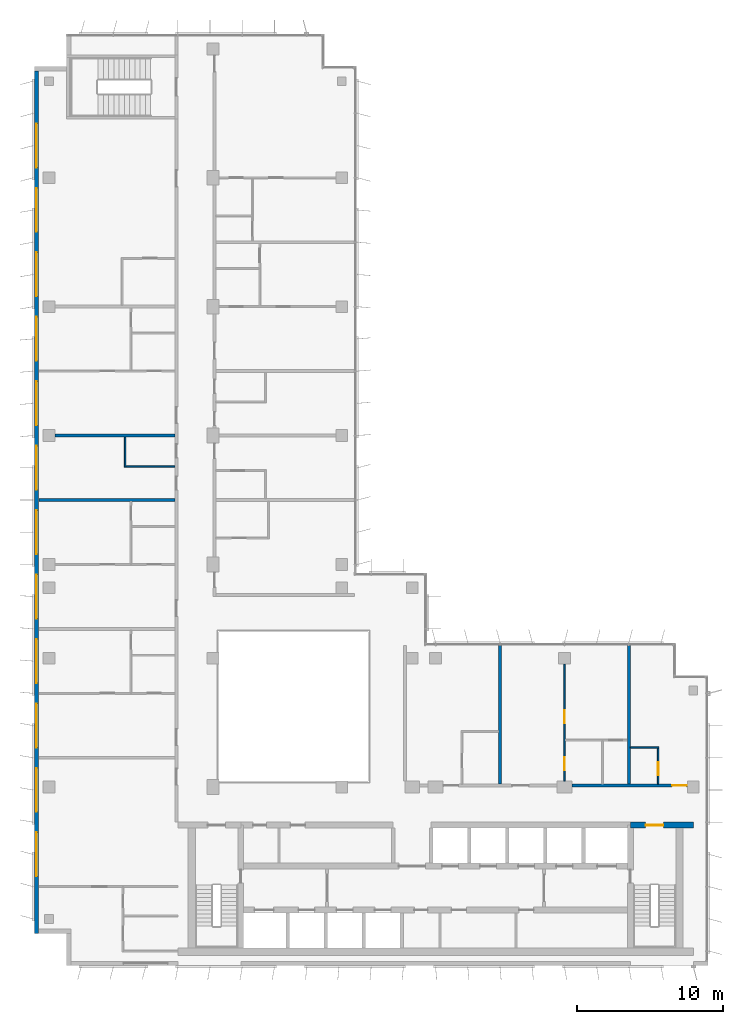
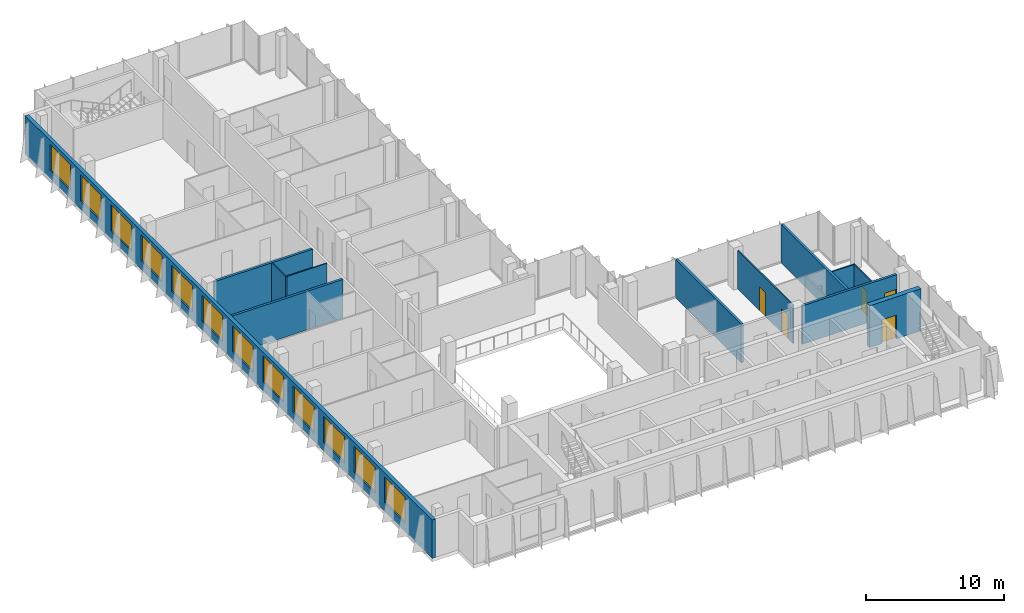
# One storey, part 11 of 16: 12 walls, 12 windows, 5 doors, 17 openings.
"""IFC4 building model written with IfcOpenShell, lengths in metres."""

from ifc_helpers import new_model, si_unit, direction, frame, frame_2d, origin, place, context, subcontext, project, spatial, rectangle, extrude, material, layer, layer_set, type_object, element, fill, save


model = new_model("IFC4")

# Units and contexts
model_context = context("Model", 3, precision=1e-05, world=origin(), true_north=direction((0.0, 1.0)))
body_context = subcontext(model_context, "Body", "Model", "MODEL_VIEW")
ifc_project = project(units=[si_unit("LENGTHUNIT", "METRE"), si_unit("AREAUNIT", "SQUARE_METRE"), si_unit("VOLUMEUNIT", "CUBIC_METRE"), si_unit("PLANEANGLEUNIT", "RADIAN"), si_unit("MASSUNIT", "GRAM", prefix="KILO")], contexts=[model_context])

# Site, building, storey
site_placement = place(None, origin())
site = spatial("IfcSite", under=ifc_project, at=site_placement, CompositionType="ELEMENT")
building_placement = place(site_placement, origin())
building = spatial("IfcBuilding", under=site, at=building_placement, Name="Kemantara Hotel Tower", CompositionType="ELEMENT")
storey_placement = place(building_placement, frame((0.0, 0.0, 283.300048828125)))
storey = spatial("IfcBuildingStorey", under=building, at=storey_placement, Name="L71", CompositionType="ELEMENT", Elevation=283.300048828125)

# Wall, openings, windows
ifc_material_1 = material(Name="Bronze anodised aluminium cladding on insulated steel stud wall", Category="steel")
ifc_layer_1 = layer(ifc_material_1, 0.300048828125)
ifc_layer_set_1 = layer_set([ifc_layer_1], Name="Bronze anodised aluminium cladding on insulated steel stud wall")
wall_type_1 = type_object("IfcWallType", Name="BRONZE METAL-CLAD EXTERNAL WALL 300", PredefinedType="STANDARD", material=ifc_layer_set_1)
wall_1_placement = place(storey_placement, frame((0.14990234375, 61.10009765625, 0.0), z_axis=(0.0, 0.0, 1.0), x_axis=(0.0, -1.0, 0.0)))
wall_1 = element("IfcWall", 1, at=wall_1_placement, inside=storey, type_object=wall_type_1, Name="EXTERNAL WALL L71 T4-R05", PredefinedType="STANDARD", context=body_context, shape_type="SweptSolid", body=[
    extrude(rectangle(XDim=58.900146484375, YDim=0.300048828125, at=frame_2d((29.4501953125, 0.0))), origin(), (0.0, 0.0, 1.0), 3.39990234375),
])
opening_1_placement = place(wall_1_placement, frame((3.60009765625, 0.0, 0.75)))
opening_1 = element("IfcOpeningElement", 2, at=opening_1_placement, cuts=wall_1, Name="Opening W1", PredefinedType="OPENING", context=body_context, shape_type="SweptSolid", body=[
    extrude(rectangle(XDim=3.0, YDim=2.300048828125, at=frame_2d((1.5, 1.14990234375))), frame((0.0, 0.159912109375, 0.0), z_axis=(0.0, -1.0, 0.0), x_axis=(1.0, 0.0, 0.0)), (0.0, 0.0, 1.0), 0.320068359375),
])
opening_2_placement = place(wall_1_placement, frame((8.0, 0.0, 0.75)))
opening_2 = element("IfcOpeningElement", 3, at=opening_2_placement, cuts=wall_1, Name="Opening W1", PredefinedType="OPENING", context=body_context, shape_type="SweptSolid", body=[
    extrude(rectangle(XDim=3.0, YDim=2.300048828125, at=frame_2d((1.5, 1.14990234375))), frame((0.0, 0.159912109375, 0.0), z_axis=(0.0, -1.0, 0.0), x_axis=(1.0, 0.0, 0.0)), (0.0, 0.0, 1.0), 0.320068359375),
])
opening_3_placement = place(wall_1_placement, frame((12.39990234375, 0.0, 0.75)))
opening_3 = element("IfcOpeningElement", 4, at=opening_3_placement, cuts=wall_1, Name="Opening W1", PredefinedType="OPENING", context=body_context, shape_type="SweptSolid", body=[
    extrude(rectangle(XDim=3.0, YDim=2.300048828125, at=frame_2d((1.5, 1.14990234375))), frame((0.0, 0.159912109375, 0.0), z_axis=(0.0, -1.0, 0.0), x_axis=(1.0, 0.0, 0.0)), (0.0, 0.0, 1.0), 0.320068359375),
])
opening_4_placement = place(wall_1_placement, frame((16.800048828125, 0.0, 0.75)))
opening_4 = element("IfcOpeningElement", 5, at=opening_4_placement, cuts=wall_1, Name="Opening W1", PredefinedType="OPENING", context=body_context, shape_type="SweptSolid", body=[
    extrude(rectangle(XDim=3.0, YDim=2.300048828125, at=frame_2d((1.5, 1.14990234375))), frame((0.0, 0.159912109375, 0.0), z_axis=(0.0, -1.0, 0.0), x_axis=(1.0, 0.0, 0.0)), (0.0, 0.0, 1.0), 0.320068359375),
])
opening_5_placement = place(wall_1_placement, frame((21.199951171875, 0.0, 0.75)))
opening_5 = element("IfcOpeningElement", 6, at=opening_5_placement, cuts=wall_1, Name="Opening W1", PredefinedType="OPENING", context=body_context, shape_type="SweptSolid", body=[
    extrude(rectangle(XDim=3.0, YDim=2.300048828125, at=frame_2d((1.5, 1.14990234375))), frame((0.0, 0.159912109375, 0.0), z_axis=(0.0, -1.0, 0.0), x_axis=(1.0, 0.0, 0.0)), (0.0, 0.0, 1.0), 0.320068359375),
])
opening_6_placement = place(wall_1_placement, frame((25.60009765625, 0.0, 0.75)))
opening_6 = element("IfcOpeningElement", 7, at=opening_6_placement, cuts=wall_1, Name="Opening W1", PredefinedType="OPENING", context=body_context, shape_type="SweptSolid", body=[
    extrude(rectangle(XDim=3.0, YDim=2.300048828125, at=frame_2d((1.5, 1.14990234375))), frame((0.0, 0.159912109375, 0.0), z_axis=(0.0, -1.0, 0.0), x_axis=(1.0, 0.0, 0.0)), (0.0, 0.0, 1.0), 0.320068359375),
])
opening_7_placement = place(wall_1_placement, frame((30.0, 0.0, 0.75)))
opening_7 = element("IfcOpeningElement", 8, at=opening_7_placement, cuts=wall_1, Name="Opening W1", PredefinedType="OPENING", context=body_context, shape_type="SweptSolid", body=[
    extrude(rectangle(XDim=3.0, YDim=2.300048828125, at=frame_2d((1.5, 1.14990234375))), frame((0.0, 0.159912109375, 0.0), z_axis=(0.0, -1.0, 0.0), x_axis=(1.0, 0.0, 0.0)), (0.0, 0.0, 1.0), 0.320068359375),
])
opening_8_placement = place(wall_1_placement, frame((34.39990234375, 0.0, 0.75)))
opening_8 = element("IfcOpeningElement", 9, at=opening_8_placement, cuts=wall_1, Name="Opening W1", PredefinedType="OPENING", context=body_context, shape_type="SweptSolid", body=[
    extrude(rectangle(XDim=3.0, YDim=2.300048828125, at=frame_2d((1.5, 1.14990234375))), frame((0.0, 0.159912109375, 0.0), z_axis=(0.0, -1.0, 0.0), x_axis=(1.0, 0.0, 0.0)), (0.0, 0.0, 1.0), 0.320068359375),
])
opening_9_placement = place(wall_1_placement, frame((38.800048828125, 0.0, 0.75)))
opening_9 = element("IfcOpeningElement", 10, at=opening_9_placement, cuts=wall_1, Name="Opening W1", PredefinedType="OPENING", context=body_context, shape_type="SweptSolid", body=[
    extrude(rectangle(XDim=3.0, YDim=2.300048828125, at=frame_2d((1.5, 1.14990234375))), frame((0.0, 0.159912109375, 0.0), z_axis=(0.0, -1.0, 0.0), x_axis=(1.0, 0.0, 0.0)), (0.0, 0.0, 1.0), 0.320068359375),
])
opening_10_placement = place(wall_1_placement, frame((43.199951171875, 0.0, 0.75)))
opening_10 = element("IfcOpeningElement", 11, at=opening_10_placement, cuts=wall_1, Name="Opening W1", PredefinedType="OPENING", context=body_context, shape_type="SweptSolid", body=[
    extrude(rectangle(XDim=3.0, YDim=2.300048828125, at=frame_2d((1.5, 1.14990234375))), frame((0.0, 0.159912109375, 0.0), z_axis=(0.0, -1.0, 0.0), x_axis=(1.0, 0.0, 0.0)), (0.0, 0.0, 1.0), 0.320068359375),
])
opening_11_placement = place(wall_1_placement, frame((47.60009765625, 0.0, 0.75)))
opening_11 = element("IfcOpeningElement", 12, at=opening_11_placement, cuts=wall_1, Name="Opening W1", PredefinedType="OPENING", context=body_context, shape_type="SweptSolid", body=[
    extrude(rectangle(XDim=3.0, YDim=2.300048828125, at=frame_2d((1.5, 1.14990234375))), frame((0.0, 0.159912109375, 0.0), z_axis=(0.0, -1.0, 0.0), x_axis=(1.0, 0.0, 0.0)), (0.0, 0.0, 1.0), 0.320068359375),
])
opening_12_placement = place(wall_1_placement, frame((52.0, 0.0, 0.75)))
opening_12 = element("IfcOpeningElement", 13, at=opening_12_placement, cuts=wall_1, Name="Opening W1", PredefinedType="OPENING", context=body_context, shape_type="SweptSolid", body=[
    extrude(rectangle(XDim=3.0, YDim=2.300048828125, at=frame_2d((1.5, 1.14990234375))), frame((0.0, 0.159912109375, 0.0), z_axis=(0.0, -1.0, 0.0), x_axis=(1.0, 0.0, 0.0)), (0.0, 0.0, 1.0), 0.320068359375),
])
ifc_material_2 = material(Name="Low-E tinted double insulated glass in bronze anodised aluminium frame", Category="aluminium")
window_type = type_object("IfcWindowType", Name="CHICAGO WINDOW, TRIPLE PANEL 3000x2300", PartitioningType="TRIPLE_PANEL_VERTICAL", PredefinedType="WINDOW", material=ifc_material_2)
window_1_placement = place(opening_1_placement, origin())
window_1 = element("IfcWindow", 14, at=window_1_placement, inside=storey, type_object=window_type, Name="CHICAGO WINDOW L71 T4-R05-54", OverallHeight=2.300048828125, OverallWidth=3.0, PartitioningType="SINGLE_PANEL", PredefinedType="WINDOW", context=body_context, shape_type="SweptSolid", body=[
    extrude(rectangle(XDim=3.0, YDim=2.300048828125, at=frame_2d((1.5, 1.14990234375))), frame((0.0, 0.030029296875, 0.0), z_axis=(0.0, -1.0, 0.0), x_axis=(1.0, 0.0, 0.0)), (0.0, 0.0, 1.0), 0.06005859375),
])
fill(opening_1, window_1)
window_2_placement = place(opening_2_placement, origin())
window_2 = element("IfcWindow", 15, at=window_2_placement, inside=storey, type_object=window_type, Name="CHICAGO WINDOW L71 T4-R05-98", OverallHeight=2.300048828125, OverallWidth=3.0, PartitioningType="SINGLE_PANEL", PredefinedType="WINDOW", context=body_context, shape_type="SweptSolid", body=[
    extrude(rectangle(XDim=3.0, YDim=2.300048828125, at=frame_2d((1.5, 1.14990234375))), frame((0.0, 0.030029296875, 0.0), z_axis=(0.0, -1.0, 0.0), x_axis=(1.0, 0.0, 0.0)), (0.0, 0.0, 1.0), 0.06005859375),
])
fill(opening_2, window_2)
window_3_placement = place(opening_3_placement, origin())
window_3 = element("IfcWindow", 16, at=window_3_placement, inside=storey, type_object=window_type, Name="CHICAGO WINDOW L71 T4-R05-142", OverallHeight=2.300048828125, OverallWidth=3.0, PartitioningType="SINGLE_PANEL", PredefinedType="WINDOW", context=body_context, shape_type="SweptSolid", body=[
    extrude(rectangle(XDim=3.0, YDim=2.300048828125, at=frame_2d((1.5, 1.14990234375))), frame((0.0, 0.030029296875, 0.0), z_axis=(0.0, -1.0, 0.0), x_axis=(1.0, 0.0, 0.0)), (0.0, 0.0, 1.0), 0.06005859375),
])
fill(opening_3, window_3)
window_4_placement = place(opening_4_placement, origin())
window_4 = element("IfcWindow", 17, at=window_4_placement, inside=storey, type_object=window_type, Name="CHICAGO WINDOW L71 T4-R05-186", OverallHeight=2.300048828125, OverallWidth=3.0, PartitioningType="SINGLE_PANEL", PredefinedType="WINDOW", context=body_context, shape_type="SweptSolid", body=[
    extrude(rectangle(XDim=3.0, YDim=2.300048828125, at=frame_2d((1.5, 1.14990234375))), frame((0.0, 0.030029296875, 0.0), z_axis=(0.0, -1.0, 0.0), x_axis=(1.0, 0.0, 0.0)), (0.0, 0.0, 1.0), 0.06005859375),
])
fill(opening_4, window_4)
window_5_placement = place(opening_5_placement, origin())
window_5 = element("IfcWindow", 18, at=window_5_placement, inside=storey, type_object=window_type, Name="CHICAGO WINDOW L71 T4-R05-230", OverallHeight=2.300048828125, OverallWidth=3.0, PartitioningType="SINGLE_PANEL", PredefinedType="WINDOW", context=body_context, shape_type="SweptSolid", body=[
    extrude(rectangle(XDim=3.0, YDim=2.300048828125, at=frame_2d((1.5, 1.14990234375))), frame((0.0, 0.030029296875, 0.0), z_axis=(0.0, -1.0, 0.0), x_axis=(1.0, 0.0, 0.0)), (0.0, 0.0, 1.0), 0.06005859375),
])
fill(opening_5, window_5)
window_6_placement = place(opening_6_placement, origin())
window_6 = element("IfcWindow", 19, at=window_6_placement, inside=storey, type_object=window_type, Name="CHICAGO WINDOW L71 T4-R05-274", OverallHeight=2.300048828125, OverallWidth=3.0, PartitioningType="SINGLE_PANEL", PredefinedType="WINDOW", context=body_context, shape_type="SweptSolid", body=[
    extrude(rectangle(XDim=3.0, YDim=2.300048828125, at=frame_2d((1.5, 1.14990234375))), frame((0.0, 0.030029296875, 0.0), z_axis=(0.0, -1.0, 0.0), x_axis=(1.0, 0.0, 0.0)), (0.0, 0.0, 1.0), 0.06005859375),
])
fill(opening_6, window_6)
window_7_placement = place(opening_7_placement, origin())
window_7 = element("IfcWindow", 20, at=window_7_placement, inside=storey, type_object=window_type, Name="CHICAGO WINDOW L71 T4-R05-318", OverallHeight=2.300048828125, OverallWidth=3.0, PartitioningType="SINGLE_PANEL", PredefinedType="WINDOW", context=body_context, shape_type="SweptSolid", body=[
    extrude(rectangle(XDim=3.0, YDim=2.300048828125, at=frame_2d((1.5, 1.14990234375))), frame((0.0, 0.030029296875, 0.0), z_axis=(0.0, -1.0, 0.0), x_axis=(1.0, 0.0, 0.0)), (0.0, 0.0, 1.0), 0.06005859375),
])
fill(opening_7, window_7)
window_8_placement = place(opening_8_placement, origin())
window_8 = element("IfcWindow", 21, at=window_8_placement, inside=storey, type_object=window_type, Name="CHICAGO WINDOW L71 T4-R05-362", OverallHeight=2.300048828125, OverallWidth=3.0, PartitioningType="SINGLE_PANEL", PredefinedType="WINDOW", context=body_context, shape_type="SweptSolid", body=[
    extrude(rectangle(XDim=3.0, YDim=2.300048828125, at=frame_2d((1.5, 1.14990234375))), frame((0.0, 0.030029296875, 0.0), z_axis=(0.0, -1.0, 0.0), x_axis=(1.0, 0.0, 0.0)), (0.0, 0.0, 1.0), 0.06005859375),
])
fill(opening_8, window_8)
window_9_placement = place(opening_9_placement, origin())
window_9 = element("IfcWindow", 22, at=window_9_placement, inside=storey, type_object=window_type, Name="CHICAGO WINDOW L71 T4-R05-406", OverallHeight=2.300048828125, OverallWidth=3.0, PartitioningType="SINGLE_PANEL", PredefinedType="WINDOW", context=body_context, shape_type="SweptSolid", body=[
    extrude(rectangle(XDim=3.0, YDim=2.300048828125, at=frame_2d((1.5, 1.14990234375))), frame((0.0, 0.030029296875, 0.0), z_axis=(0.0, -1.0, 0.0), x_axis=(1.0, 0.0, 0.0)), (0.0, 0.0, 1.0), 0.06005859375),
])
fill(opening_9, window_9)
window_10_placement = place(opening_10_placement, origin())
window_10 = element("IfcWindow", 23, at=window_10_placement, inside=storey, type_object=window_type, Name="CHICAGO WINDOW L71 T4-R05-450", OverallHeight=2.300048828125, OverallWidth=3.0, PartitioningType="SINGLE_PANEL", PredefinedType="WINDOW", context=body_context, shape_type="SweptSolid", body=[
    extrude(rectangle(XDim=3.0, YDim=2.300048828125, at=frame_2d((1.5, 1.14990234375))), frame((0.0, 0.030029296875, 0.0), z_axis=(0.0, -1.0, 0.0), x_axis=(1.0, 0.0, 0.0)), (0.0, 0.0, 1.0), 0.06005859375),
])
fill(opening_10, window_10)
window_11_placement = place(opening_11_placement, origin())
window_11 = element("IfcWindow", 24, at=window_11_placement, inside=storey, type_object=window_type, Name="CHICAGO WINDOW L71 T4-R05-494", OverallHeight=2.300048828125, OverallWidth=3.0, PartitioningType="SINGLE_PANEL", PredefinedType="WINDOW", context=body_context, shape_type="SweptSolid", body=[
    extrude(rectangle(XDim=3.0, YDim=2.300048828125, at=frame_2d((1.5, 1.14990234375))), frame((0.0, 0.030029296875, 0.0), z_axis=(0.0, -1.0, 0.0), x_axis=(1.0, 0.0, 0.0)), (0.0, 0.0, 1.0), 0.06005859375),
])
fill(opening_11, window_11)
window_12_placement = place(opening_12_placement, origin())
window_12 = element("IfcWindow", 25, at=window_12_placement, inside=storey, type_object=window_type, Name="CHICAGO WINDOW L71 T4-R05-538", OverallHeight=2.300048828125, OverallWidth=3.0, PartitioningType="SINGLE_PANEL", PredefinedType="WINDOW", context=body_context, shape_type="SweptSolid", body=[
    extrude(rectangle(XDim=3.0, YDim=2.300048828125, at=frame_2d((1.5, 1.14990234375))), frame((0.0, 0.030029296875, 0.0), z_axis=(0.0, -1.0, 0.0), x_axis=(1.0, 0.0, 0.0)), (0.0, 0.0, 1.0), 0.06005859375),
])
fill(opening_12, window_12)

# Wall, opening, door
ifc_material_3 = material(Name="Concrete fc 50 MPa", Category="concrete")
ifc_layer_2 = layer(ifc_material_3, 0.39990234375)
ifc_layer_set_2 = layer_set([ifc_layer_2], Name="Concrete fc 50 MPa")
wall_type_2 = type_object("IfcWallType", Name="CORE WALL 400 FC50", PredefinedType="SHEAR", material=ifc_layer_set_2)
wall_2_placement = place(storey_placement, frame((40.699951171875, 9.60009765625, 0.0), z_axis=(0.0, 0.0, 1.0), x_axis=(1.0, 0.0, 0.0)))
wall_2 = element("IfcWall", 26, at=wall_2_placement, inside=storey, type_object=wall_type_2, Name="CORE WALL CW-N2", PredefinedType="SHEAR", context=body_context, shape_type="SweptSolid", body=[
    extrude(rectangle(XDim=4.300048828125, YDim=0.39990234375, at=frame_2d((2.14990234375, 0.0))), origin(), (0.0, 0.0, 1.0), 3.699951171875),
])
opening_13_placement = place(wall_2_placement, frame((1.050048828125, 0.0, 0.0)))
opening_13 = element("IfcOpeningElement", 27, at=opening_13_placement, cuts=wall_2, Name="Opening C41-ST2-C", PredefinedType="OPENING", context=body_context, shape_type="SweptSolid", body=[
    extrude(rectangle(XDim=1.199951171875, YDim=2.10009765625, at=frame_2d((0.60009765625, 1.050048828125))), frame((0.0, 0.2099609375, 0.0), z_axis=(0.0, -1.0, 0.0), x_axis=(1.0, 0.0, 0.0)), (0.0, 0.0, 1.0), 0.419921875),
])
ifc_material_4 = material(Name="Steel fire door", Category="steel")
door_type_1 = type_object("IfcDoorType", Name="Fire door FD90 1200 x 2100", OperationType="NOTDEFINED", PredefinedType="DOOR", material=ifc_material_4)
door_1_placement = place(opening_13_placement, frame((1.199951171875, 0.0, 0.0), z_axis=(0.0, 0.0, 1.0), x_axis=(-1.0, 0.0, 0.0)))
door_1 = element("IfcDoor", 28, at=door_1_placement, inside=storey, type_object=door_type_1, Name="Stair ST2 door to corridor", OperationType="SINGLE_SWING_RIGHT", OverallHeight=2.10009765625, OverallWidth=1.199951171875, PredefinedType="DOOR", context=body_context, shape_type="SweptSolid", body=[
    extrude(rectangle(XDim=1.199951171875, YDim=2.10009765625, at=frame_2d((0.60009765625, 1.050048828125))), frame((0.0, 0.02490234375, 0.0), z_axis=(0.0, -1.0, 0.0), x_axis=(1.0, 0.0, 0.0)), (0.0, 0.0, 1.0), 0.050048828125),
])
fill(opening_13, door_1)

ifc_material_5 = material(Name="Gypsum board partition, steel studs and mineral wool, 200 mm", Category="steel")
ifc_layer_3 = layer(ifc_material_5, 0.199951171875)
ifc_layer_set_3 = layer_set([ifc_layer_3], Name="Gypsum board partition, steel studs and mineral wool, 200 mm")
wall_type_3 = type_object("IfcWallType", Name="CORRIDOR WALL 200", PredefinedType="PARTITIONING", material=ifc_layer_set_3)
wall_3_placement = place(storey_placement, frame((36.7001953125, 12.300048828125, 0.0), z_axis=(0.0, 0.0, 1.0), x_axis=(1.0, 0.0, 0.0)))
wall_3 = element("IfcWall", 29, at=wall_3_placement, inside=storey, type_object=wall_type_3, Name="CORRIDOR WALL 200 003", PredefinedType="PARTITIONING", context=body_context, shape_type="SweptSolid", body=[
    extrude(rectangle(XDim=7.899658203125, YDim=0.199951171875, at=frame_2d((3.94970703125, 0.0))), origin(), (0.0, 0.0, 1.0), 3.39990234375),
])
opening_14_placement = place(wall_3_placement, frame((6.849853515625, 0.0, 0.0)))
opening_14 = element("IfcOpeningElement", 30, at=opening_14_placement, cuts=wall_3, Name="Opening F35-007", PredefinedType="OPENING", context=body_context, shape_type="SweptSolid", body=[
    extrude(rectangle(XDim=1.0, YDim=2.10009765625, at=frame_2d((0.5, 1.050048828125))), frame((0.0, 0.10986328125, 0.0), z_axis=(0.0, -1.0, 0.0), x_axis=(1.0, 0.0, 0.0)), (0.0, 0.0, 1.0), 0.219970703125),
])
ifc_material_6 = material(Name="Hardwood veneer door leaf with steel frame", Category="steel")
door_type_2 = type_object("IfcDoorType", Name="GUEST ROOM DOOR 1000 X 2100 FD30S", OperationType="NOTDEFINED", PredefinedType="DOOR", material=ifc_material_6)
door_2_placement = place(opening_14_placement, origin())
door_2 = element("IfcDoor", 31, at=door_2_placement, inside=storey, type_object=door_type_2, Name="GUEST ROOM DOOR F35-007", OperationType="SINGLE_SWING_RIGHT", OverallHeight=2.10009765625, OverallWidth=1.0, PredefinedType="DOOR", context=body_context, shape_type="SweptSolid", body=[
    extrude(rectangle(XDim=1.0, YDim=2.10009765625, at=frame_2d((0.5, 1.050048828125))), frame((0.0, 0.02490234375, 0.0), z_axis=(0.0, -1.0, 0.0), x_axis=(1.0, 0.0, 0.0)), (0.0, 0.0, 1.0), 0.050048828125),
])
fill(opening_14, door_2)

# Walls
ifc_layer_4 = layer(ifc_material_5, 0.199951171875)
ifc_layer_set_4 = layer_set([ifc_layer_4], Name="Gypsum board partition, steel studs and mineral wool, 200 mm")
wall_type_4 = type_object("IfcWallType", Name="GUEST ROOM PARTY WALL 200", PredefinedType="PARTITIONING", material=ifc_layer_set_4)
for number, where, z_axis, x_axis, name in (
    (32, (31.800048828125, 12.39990234375, 0.0), (0.0, 0.0, 1.0), (0.0, 1.0, 0.0), "GUEST ROOM PARTY WALL 200 005"),
    (33, (40.60009765625, 12.39990234375, 0.0), (0.0, 0.0, 1.0), (0.0, 1.0, 0.0), "GUEST ROOM PARTY WALL 200 006"),
):
    element("IfcWall", number, at=place(storey_placement, frame(where, z_axis=z_axis, x_axis=x_axis)), inside=storey, type_object=wall_type_4, Name=name, PredefinedType="PARTITIONING", context=body_context, shape_type="SweptSolid", body=[
        extrude(rectangle(XDim=9.47021484375, YDim=0.199951171875, at=frame_2d((4.735107421875, 0.0))), origin(), (0.0, 0.0, 1.0), 3.39990234375),
    ])
wall_4_placement = place(storey_placement, frame((0.31005859375, 31.800048828125, 0.0), z_axis=(0.0, 0.0, 1.0), x_axis=(1.0, 0.0, 0.0)))
element("IfcWall", 34, at=wall_4_placement, inside=storey, type_object=wall_type_4, Name="GUEST ROOM PARTY WALL 200 011", PredefinedType="PARTITIONING", context=body_context, shape_type="SweptSolid", body=[
    extrude(rectangle(XDim=9.2900390625, YDim=0.199951171875, at=frame_2d((4.64501953125, 0.0))), origin(), (0.0, 0.0, 1.0), 3.39990234375),
])
wall_5_placement = place(storey_placement, frame((1.400146484375, 36.199951171875, 0.0), z_axis=(0.0, 0.0, 1.0), x_axis=(1.0, 0.0, 0.0)))
element("IfcWall", 35, at=wall_5_placement, inside=storey, type_object=wall_type_4, Name="GUEST ROOM PARTY WALL 200 013", PredefinedType="PARTITIONING", context=body_context, shape_type="SweptSolid", body=[
    extrude(rectangle(XDim=8.199951171875, YDim=0.199951171875, at=frame_2d((4.10009765625, 0.0))), origin(), (0.0, 0.0, 1.0), 3.39990234375),
])

# Wall, openings, doors
ifc_material_7 = material(Name="Gypsum board partition on steel studs, 100 mm", Category="steel")
ifc_layer_5 = layer(ifc_material_7, 0.10009765625)
ifc_layer_set_5 = layer_set([ifc_layer_5], Name="Gypsum board partition on steel studs, 100 mm")
wall_type_5 = type_object("IfcWallType", Name="ROOM PARTITION 100", PredefinedType="PARTITIONING", material=ifc_layer_set_5)
wall_6_placement = place(storey_placement, frame((36.199951171875, 12.60009765625, 0.0), z_axis=(0.0, 0.0, 1.0), x_axis=(0.0, 1.0, 0.0)))
wall_6 = element("IfcWall", 36, at=wall_6_placement, inside=storey, type_object=wall_type_5, Name="ROOM PARTITION 100 027", PredefinedType="PARTITIONING", context=body_context, shape_type="SweptSolid", body=[
    extrude(rectangle(XDim=7.999755859375, YDim=0.10009765625, at=frame_2d((4.0, 0.0))), origin(), (0.0, 0.0, 1.0), 3.39990234375),
])
opening_15_placement = place(wall_6_placement, frame((0.75, 0.0, 0.0)))
opening_15 = element("IfcOpeningElement", 37, at=opening_15_placement, cuts=wall_6, Name="Opening F35-004", PredefinedType="OPENING", context=body_context, shape_type="SweptSolid", body=[
    extrude(rectangle(XDim=0.89990234375, YDim=2.10009765625, at=frame_2d((0.449951171875, 1.050048828125))), frame((0.0, 0.06005859375, 0.0), z_axis=(0.0, -1.0, 0.0), x_axis=(1.0, 0.0, 0.0)), (0.0, 0.0, 1.0), 0.1201171875),
])
opening_16_placement = place(wall_6_placement, frame((3.949951171875, 0.0, 0.0)))
opening_16 = element("IfcOpeningElement", 38, at=opening_16_placement, cuts=wall_6, Name="Opening F35-005", PredefinedType="OPENING", context=body_context, shape_type="SweptSolid", body=[
    extrude(rectangle(XDim=0.89990234375, YDim=2.10009765625, at=frame_2d((0.449951171875, 1.050048828125))), frame((0.0, 0.06005859375, 0.0), z_axis=(0.0, -1.0, 0.0), x_axis=(1.0, 0.0, 0.0)), (0.0, 0.0, 1.0), 0.1201171875),
])
door_type_3 = type_object("IfcDoorType", Name="INTERNAL DOOR 900 X 2100", OperationType="NOTDEFINED", PredefinedType="DOOR", material=ifc_material_6)
door_3_placement = place(opening_16_placement, frame((0.89990234375, 0.0, 0.0), z_axis=(0.0, 0.0, 1.0), x_axis=(-1.0, 0.0, 0.0)))
door_3 = element("IfcDoor", 39, at=door_3_placement, inside=storey, type_object=door_type_3, Name="INTERNAL DOOR F35-005", OperationType="SINGLE_SWING_LEFT", OverallHeight=2.10009765625, OverallWidth=0.89990234375, PredefinedType="DOOR", context=body_context, shape_type="SweptSolid", body=[
    extrude(rectangle(XDim=0.89990234375, YDim=2.10009765625, at=frame_2d((0.449951171875, 1.050048828125))), frame((0.0, 0.02490234375, 0.0), z_axis=(0.0, -1.0, 0.0), x_axis=(1.0, 0.0, 0.0)), (0.0, 0.0, 1.0), 0.050048828125),
])
fill(opening_16, door_3)
door_type_4 = type_object("IfcDoorType", Name="PANTRY DOOR 900 X 2100", OperationType="NOTDEFINED", PredefinedType="DOOR", material=ifc_material_6)
door_4_placement = place(opening_15_placement, origin())
door_4 = element("IfcDoor", 40, at=door_4_placement, inside=storey, type_object=door_type_4, Name="PANTRY DOOR F35-004", OperationType="SINGLE_SWING_LEFT", OverallHeight=2.10009765625, OverallWidth=0.89990234375, PredefinedType="DOOR", context=body_context, shape_type="SweptSolid", body=[
    extrude(rectangle(XDim=0.89990234375, YDim=2.10009765625, at=frame_2d((0.449951171875, 1.050048828125))), frame((0.0, 0.02490234375, 0.0), z_axis=(0.0, -1.0, 0.0), x_axis=(1.0, 0.0, 0.0)), (0.0, 0.0, 1.0), 0.050048828125),
])
fill(opening_15, door_4)

# Wall
wall_7_placement = place(storey_placement, frame((40.699951171875, 14.89990234375, 0.0), z_axis=(0.0, 0.0, 1.0), x_axis=(1.0, 0.0, 0.0)))
element("IfcWall", 41, at=wall_7_placement, inside=storey, type_object=wall_type_5, Name="ROOM PARTITION 100 029", PredefinedType="PARTITIONING", context=body_context, shape_type="SweptSolid", body=[
    extrude(rectangle(XDim=1.949951171875, YDim=0.10009765625, at=frame_2d((0.97509765625, 0.0))), origin(), (0.0, 0.0, 1.0), 3.39990234375),
])

# Wall, opening, door
wall_8_placement = place(storey_placement, frame((42.60009765625, 12.39990234375, 0.0), z_axis=(0.0, 0.0, 1.0), x_axis=(0.0, 1.0, 0.0)))
wall_8 = element("IfcWall", 42, at=wall_8_placement, inside=storey, type_object=wall_type_5, Name="ROOM PARTITION 100 030", PredefinedType="PARTITIONING", context=body_context, shape_type="SweptSolid", body=[
    extrude(rectangle(XDim=2.4501953125, YDim=0.10009765625, at=frame_2d((1.22509765625, 0.0))), origin(), (0.0, 0.0, 1.0), 3.39990234375),
])
opening_17_placement = place(wall_8_placement, frame((0.60009765625, 0.0, 0.0)))
opening_17 = element("IfcOpeningElement", 43, at=opening_17_placement, cuts=wall_8, Name="Opening F35-008", PredefinedType="OPENING", context=body_context, shape_type="SweptSolid", body=[
    extrude(rectangle(XDim=0.89990234375, YDim=2.10009765625, at=frame_2d((0.449951171875, 1.050048828125))), frame((0.0, 0.06005859375, 0.0), z_axis=(0.0, -1.0, 0.0), x_axis=(1.0, 0.0, 0.0)), (0.0, 0.0, 1.0), 0.1201171875),
])
door_type_5 = type_object("IfcDoorType", Name="BATHROOM DOOR 900 X 2100", OperationType="NOTDEFINED", PredefinedType="DOOR", material=ifc_material_6)
door_5_placement = place(opening_17_placement, origin())
door_5 = element("IfcDoor", 44, at=door_5_placement, inside=storey, type_object=door_type_5, Name="BATHROOM DOOR F35-008", OperationType="SINGLE_SWING_LEFT", OverallHeight=2.10009765625, OverallWidth=0.89990234375, PredefinedType="DOOR", context=body_context, shape_type="SweptSolid", body=[
    extrude(rectangle(XDim=0.89990234375, YDim=2.10009765625, at=frame_2d((0.449951171875, 1.050048828125))), frame((0.0, 0.02490234375, 0.0), z_axis=(0.0, -1.0, 0.0), x_axis=(1.0, 0.0, 0.0)), (0.0, 0.0, 1.0), 0.050048828125),
])
fill(opening_17, door_5)

# Walls
wall_9_placement = place(storey_placement, frame((6.199951171875, 34.050048828125, 0.0), z_axis=(0.0, 0.0, 1.0), x_axis=(0.0, 1.0, 0.0)))
element("IfcWall", 45, at=wall_9_placement, inside=storey, type_object=wall_type_5, Name="ROOM PARTITION 100 042", PredefinedType="PARTITIONING", context=body_context, shape_type="SweptSolid", body=[
    extrude(rectangle(XDim=2.050048828125, YDim=0.10009765625, at=frame_2d((1.02490234375, 0.0))), origin(), (0.0, 0.0, 1.0), 3.39990234375),
])
wall_10_placement = place(storey_placement, frame((6.25, 34.10009765625, 0.0), z_axis=(0.0, 0.0, 1.0), x_axis=(1.0, 0.0, 0.0)))
element("IfcWall", 46, at=wall_10_placement, inside=storey, type_object=wall_type_5, Name="ROOM PARTITION 100 043", PredefinedType="PARTITIONING", context=body_context, shape_type="SweptSolid", body=[
    extrude(rectangle(XDim=3.35009765625, YDim=0.10009765625, at=frame_2d((1.675048828125, 0.0))), origin(), (0.0, 0.0, 1.0), 3.39990234375),
])

save(model, "model.ifc")
